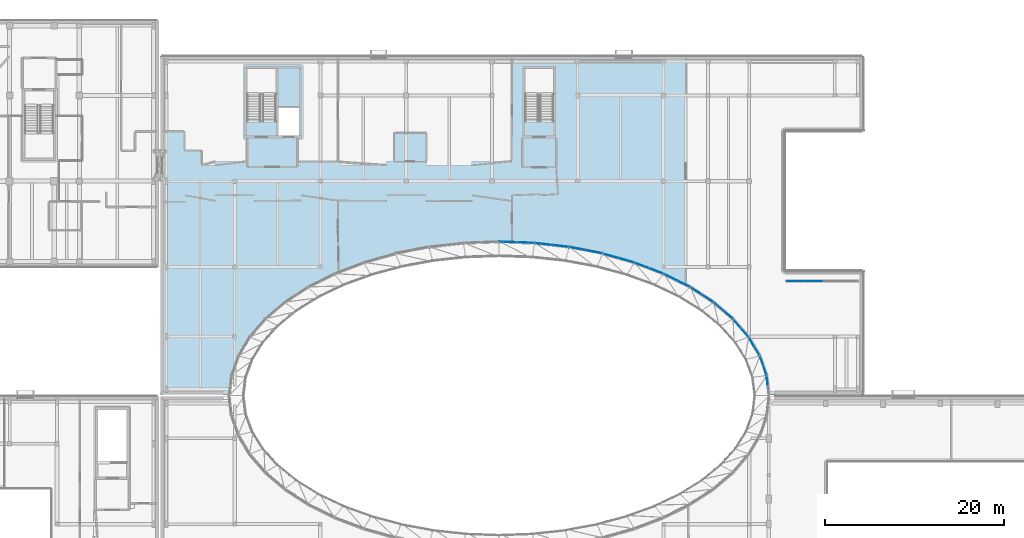
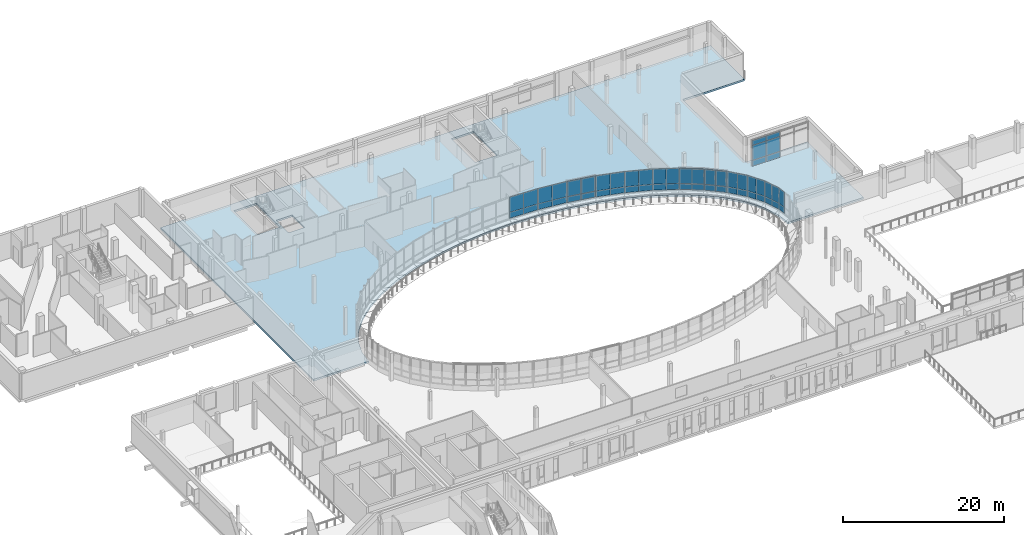
# One storey, part 33 of 73: 52 plates, 1 slab, 13 elements without a shape of their own.
"""IFC4 building model written with IfcOpenShell, lengths in metres."""

from ifc_helpers import new_model, si_unit, direction, frame, origin, origin_2d, place, context, subcontext, project, spatial, polyline, rectangle, outline, extrude, material, layer, layer_set, type_object, element, aggregate, save


model = new_model("IFC4")

# Units and contexts
model_context = context("Model", 3, precision=1e-05, world=origin(), true_north=direction((0.0, 1.0)))
body_context = subcontext(model_context, "Body", "Model", "MODEL_VIEW")
ifc_project = project(units=[si_unit("LENGTHUNIT", "METRE"), si_unit("AREAUNIT", "SQUARE_METRE"), si_unit("VOLUMEUNIT", "CUBIC_METRE"), si_unit("PLANEANGLEUNIT", "RADIAN"), si_unit("MASSUNIT", "GRAM", prefix="KILO")], contexts=[model_context])

# Site, building, storey
site_placement = place(None, origin())
site = spatial("IfcSite", under=ifc_project, at=site_placement, CompositionType="ELEMENT")
building_placement = place(site_placement, origin())
building = spatial("IfcBuilding", under=site, at=building_placement, Name="Mzevani Central Library", CompositionType="ELEMENT")
storey_placement = place(building_placement, frame((0.0, 0.0, 9.60009765625)))
storey = spatial("IfcBuildingStorey", under=building, at=storey_placement, Name="L02", CompositionType="ELEMENT", Elevation=9.60009765625)

# Curtain wall, plate
ifc_material_1 = material(Name="Thermally broken aluminium and Low-E triple glazing", Category="aluminium")
curtain_wall_type_1 = type_object("IfcCurtainWallType", Name="Reading Hall Northlight Curtain Wall", PredefinedType="NOTDEFINED", material=ifc_material_1)
curtain_wall_1_placement = place(storey_placement, origin())
curtain_wall_1 = element("IfcCurtainWall", 1, at=curtain_wall_1_placement, inside=storey, type_object=curtain_wall_type_1, Name="L02 Elliptical Court Curtain Wall 1", PredefinedType="NOTDEFINED")
ifc_material_2 = material(Name="Thermally broken aluminium AW-6060", Category="aluminium")
ifc_layer_1 = layer(ifc_material_2, 0.0419921875, Name="CW Insulated Spandrel Panel 42")
ifc_layer_set_1 = layer_set([ifc_layer_1], Name="Thermally broken aluminium AW-6060")
plate_type_1 = type_object("IfcPlateType", Name="CW Insulated Spandrel Panel 42", PredefinedType="CURTAIN_PANEL", material=ifc_layer_set_1)
plate_1_placement = place(storey_placement, frame((114.02734375, 77.673583984375, 0.719970703125), z_axis=(0.0, 0.0, 1.0), x_axis=(-0.114794980787, 0.993389204887, 0.0)))
plate_1 = element("IfcPlate", 2, at=plate_1_placement, type_object=plate_type_1, Name="L02 Elliptical Court Curtain Wall 1 Spandrel Panel 3", PredefinedType="CURTAIN_PANEL", context=body_context, shape_type="SweptSolid", body=[
    extrude(rectangle(XDim=1.11767578125, YDim=0.0419921875, at=origin_2d()), origin(), (0.0, 0.0, 1.0), 0.89990234375),
])

# Curtain wall, plates
curtain_wall_type_2 = type_object("IfcCurtainWallType", Name="Elliptical Court Unitised Curtain Wall", PredefinedType="NOTDEFINED", material=ifc_material_1)
curtain_wall_2_placement = place(storey_placement, origin())
curtain_wall_2 = element("IfcCurtainWall", 3, at=curtain_wall_2_placement, inside=storey, type_object=curtain_wall_type_2, Name="L02 Elliptical Court Curtain Wall 2", PredefinedType="NOTDEFINED")
plate_2_placement = place(storey_placement, frame((113.7705078125, 78.790771484375, 0.719970703125), z_axis=(0.0, 0.0, 1.0), x_axis=(-0.331001932634, 0.943630076138, 0.0)))
plate_2 = element("IfcPlate", 4, at=plate_2_placement, type_object=plate_type_1, Name="L02 Elliptical Court Curtain Wall 2 Spandrel Panel 1", PredefinedType="CURTAIN_PANEL", context=body_context, shape_type="SweptSolid", body=[
    extrude(rectangle(XDim=1.156494140625, YDim=0.0419921875, at=origin_2d()), origin(), (0.0, 0.0, 1.0), 0.89990234375),
])
plate_3_placement = place(storey_placement, frame((113.3876953125, 79.882080078125, 0.719970703125), z_axis=(0.0, 0.0, 1.0), x_axis=(-0.331001932634, 0.943630076138, 0.0)))
plate_3 = element("IfcPlate", 5, at=plate_3_placement, type_object=plate_type_1, Name="L02 Elliptical Court Curtain Wall 2 Spandrel Panel 3", PredefinedType="CURTAIN_PANEL", context=body_context, shape_type="SweptSolid", body=[
    extrude(rectangle(XDim=1.156494140625, YDim=0.0419921875, at=origin_2d()), origin(), (0.0, 0.0, 1.0), 0.89990234375),
])

curtain_wall_3_placement = place(storey_placement, origin())
curtain_wall_3 = element("IfcCurtainWall", 6, at=curtain_wall_3_placement, inside=storey, type_object=curtain_wall_type_2, Name="L02 Elliptical Court Curtain Wall 3", PredefinedType="NOTDEFINED")
plate_4_placement = place(storey_placement, frame((112.87841796875, 80.971435546875, 0.719970703125), z_axis=(0.0, 0.0, 1.0), x_axis=(-0.513620622967, 0.858017398228, 0.0)))
plate_4 = element("IfcPlate", 7, at=plate_4_placement, type_object=plate_type_1, Name="L02 Elliptical Court Curtain Wall 3 Spandrel Panel 1", PredefinedType="CURTAIN_PANEL", context=body_context, shape_type="SweptSolid", body=[
    extrude(rectangle(XDim=1.227783203125, YDim=0.0419921875, at=origin_2d()), origin(), (0.0, 0.0, 1.0), 0.89990234375),
])
plate_5_placement = place(storey_placement, frame((112.247802734375, 82.025146484375, 0.719970703125), z_axis=(0.0, 0.0, 1.0), x_axis=(-0.513620622967, 0.858017398228, 0.0)))
plate_5 = element("IfcPlate", 8, at=plate_5_placement, type_object=plate_type_1, Name="L02 Elliptical Court Curtain Wall 3 Spandrel Panel 3", PredefinedType="CURTAIN_PANEL", context=body_context, shape_type="SweptSolid", body=[
    extrude(rectangle(XDim=1.227783203125, YDim=0.0419921875, at=origin_2d()), origin(), (0.0, 0.0, 1.0), 0.89990234375),
])

curtain_wall_4_placement = place(storey_placement, origin())
curtain_wall_4 = element("IfcCurtainWall", 9, at=curtain_wall_4_placement, inside=storey, type_object=curtain_wall_type_1, Name="L02 Elliptical Court Curtain Wall 4", PredefinedType="NOTDEFINED")
plate_6_placement = place(storey_placement, frame((111.494384765625, 83.068603515625, 0.719970703125), z_axis=(0.0, 0.0, 1.0), x_axis=(-0.656226299394, 0.754564141729, 0.0)))
plate_6 = element("IfcPlate", 10, at=plate_6_placement, type_object=plate_type_1, Name="L02 Elliptical Court Curtain Wall 4 Spandrel Panel 1", PredefinedType="CURTAIN_PANEL", context=body_context, shape_type="SweptSolid", body=[
    extrude(rectangle(XDim=1.322509765625, YDim=0.0419921875, at=origin_2d()), origin(), (0.0, 0.0, 1.0), 0.89990234375),
])
plate_7_placement = place(storey_placement, frame((110.62646484375, 84.06640625, 0.719970703125), z_axis=(0.0, 0.0, 1.0), x_axis=(-0.656226299394, 0.754564141729, 0.0)))
plate_7 = element("IfcPlate", 11, at=plate_7_placement, type_object=plate_type_1, Name="L02 Elliptical Court Curtain Wall 4 Spandrel Panel 3", PredefinedType="CURTAIN_PANEL", context=body_context, shape_type="SweptSolid", body=[
    extrude(rectangle(XDim=1.322509765625, YDim=0.0419921875, at=origin_2d()), origin(), (0.0, 0.0, 1.0), 0.89990234375),
])

curtain_wall_5_placement = place(storey_placement, origin())
curtain_wall_5 = element("IfcCurtainWall", 12, at=curtain_wall_5_placement, inside=storey, type_object=curtain_wall_type_2, Name="L02 Elliptical Court Curtain Wall 5", PredefinedType="NOTDEFINED")
plate_8_placement = place(storey_placement, frame((109.641357421875, 85.046630859375, 0.719970703125), z_axis=(0.0, 0.0, 1.0), x_axis=(-0.762434605675, 0.647065276514, 0.0)))
plate_8 = element("IfcPlate", 13, at=plate_8_placement, type_object=plate_type_1, Name="L02 Elliptical Court Curtain Wall 5 Spandrel Panel 1", PredefinedType="CURTAIN_PANEL", context=body_context, shape_type="SweptSolid", body=[
    extrude(rectangle(XDim=1.4296875, YDim=0.0419921875, at=origin_2d()), origin(), (0.0, 0.0, 1.0), 0.89990234375),
])
plate_9_placement = place(storey_placement, frame((108.55126953125, 85.971923828125, 0.719970703125), z_axis=(0.0, 0.0, 1.0), x_axis=(-0.762434605675, 0.647065276514, 0.0)))
plate_9 = element("IfcPlate", 14, at=plate_9_placement, type_object=plate_type_1, Name="L02 Elliptical Court Curtain Wall 5 Spandrel Panel 3", PredefinedType="CURTAIN_PANEL", context=body_context, shape_type="SweptSolid", body=[
    extrude(rectangle(XDim=1.4296875, YDim=0.0419921875, at=origin_2d()), origin(), (0.0, 0.0, 1.0), 0.89990234375),
])

curtain_wall_6_placement = place(storey_placement, origin())
curtain_wall_6 = element("IfcCurtainWall", 15, at=curtain_wall_6_placement, inside=storey, type_object=curtain_wall_type_2, Name="L02 Elliptical Court Curtain Wall 6", PredefinedType="NOTDEFINED")
plate_10_placement = place(storey_placement, frame((107.350830078125, 86.87255859375, 0.719970703125), z_axis=(0.0, 0.0, 1.0), x_axis=(-0.839732660597, 0.543000054076, 0.0)))
plate_10 = element("IfcPlate", 16, at=plate_10_placement, type_object=plate_type_1, Name="L02 Elliptical Court Curtain Wall 6 Spandrel Panel 1", PredefinedType="CURTAIN_PANEL", context=body_context, shape_type="SweptSolid", body=[
    extrude(rectangle(XDim=1.54052734375, YDim=0.0419921875, at=origin_2d()), origin(), (0.0, 0.0, 1.0), 0.89990234375),
])
plate_11_placement = place(storey_placement, frame((106.05712890625, 87.709228515625, 0.719970703125), z_axis=(0.0, 0.0, 1.0), x_axis=(-0.839732660597, 0.543000054076, 0.0)))
plate_11 = element("IfcPlate", 17, at=plate_11_placement, type_object=plate_type_1, Name="L02 Elliptical Court Curtain Wall 6 Spandrel Panel 3", PredefinedType="CURTAIN_PANEL", context=body_context, shape_type="SweptSolid", body=[
    extrude(rectangle(XDim=1.54052734375, YDim=0.0419921875, at=origin_2d()), origin(), (0.0, 0.0, 1.0), 0.89990234375),
])

curtain_wall_7_placement = place(storey_placement, origin())
curtain_wall_7 = element("IfcCurtainWall", 18, at=curtain_wall_7_placement, inside=storey, type_object=curtain_wall_type_1, Name="L02 Elliptical Court Curtain Wall 7", PredefinedType="NOTDEFINED")
plate_12_placement = place(storey_placement, frame((104.660400390625, 88.515869140625, 0.719970703125), z_axis=(0.0, 0.0, 1.0), x_axis=(-0.89539024804, 0.445282274198, 0.0)))
plate_12 = element("IfcPlate", 19, at=plate_12_placement, type_object=plate_type_1, Name="L02 Elliptical Court Curtain Wall 7 Spandrel Panel 1", PredefinedType="CURTAIN_PANEL", context=body_context, shape_type="SweptSolid", body=[
    extrude(rectangle(XDim=1.6474609375, YDim=0.0419921875, at=origin_2d()), origin(), (0.0, 0.0, 1.0), 0.89990234375),
])
plate_13_placement = place(storey_placement, frame((103.18505859375, 89.24951171875, 0.719970703125), z_axis=(0.0, 0.0, 1.0), x_axis=(-0.89539024804, 0.445282274198, 0.0)))
plate_13 = element("IfcPlate", 20, at=plate_13_placement, type_object=plate_type_1, Name="L02 Elliptical Court Curtain Wall 7 Spandrel Panel 3", PredefinedType="CURTAIN_PANEL", context=body_context, shape_type="SweptSolid", body=[
    extrude(rectangle(XDim=1.6474609375, YDim=0.0419921875, at=origin_2d()), origin(), (0.0, 0.0, 1.0), 0.89990234375),
])

curtain_wall_8_placement = place(storey_placement, origin())
curtain_wall_8 = element("IfcCurtainWall", 21, at=curtain_wall_8_placement, inside=storey, type_object=curtain_wall_type_2, Name="L02 Elliptical Court Curtain Wall 8", PredefinedType="NOTDEFINED")
plate_14_placement = place(storey_placement, frame((101.614990234375, 89.9482421875, 0.719970703125), z_axis=(0.0, 0.0, 1.0), x_axis=(-0.935125934048, 0.354315519659, 0.0)))
plate_14 = element("IfcPlate", 22, at=plate_14_placement, type_object=plate_type_1, Name="L02 Elliptical Court Curtain Wall 8 Spandrel Panel 1", PredefinedType="CURTAIN_PANEL", context=body_context, shape_type="SweptSolid", body=[
    extrude(rectangle(XDim=1.74462890625, YDim=0.0419921875, at=origin_2d()), origin(), (0.0, 0.0, 1.0), 0.89990234375),
])
plate_15_placement = place(storey_placement, frame((99.9833984375, 90.56640625, 0.719970703125), z_axis=(0.0, 0.0, 1.0), x_axis=(-0.935125934048, 0.354315519659, 0.0)))
plate_15 = element("IfcPlate", 23, at=plate_15_placement, type_object=plate_type_1, Name="L02 Elliptical Court Curtain Wall 8 Spandrel Panel 3", PredefinedType="CURTAIN_PANEL", context=body_context, shape_type="SweptSolid", body=[
    extrude(rectangle(XDim=1.74462890625, YDim=0.0419921875, at=origin_2d()), origin(), (0.0, 0.0, 1.0), 0.89990234375),
])

curtain_wall_9_placement = place(storey_placement, origin())
curtain_wall_9 = element("IfcCurtainWall", 24, at=curtain_wall_9_placement, inside=storey, type_object=curtain_wall_type_2, Name="L02 Elliptical Court Curtain Wall 9", PredefinedType="NOTDEFINED")
plate_16_placement = place(storey_placement, frame((98.264404296875, 91.145263671875, 0.719970703125), z_axis=(0.0, 0.0, 1.0), x_axis=(-0.9630535978, 0.269309798865, 0.0)))
plate_16 = element("IfcPlate", 25, at=plate_16_placement, type_object=plate_type_1, Name="L02 Elliptical Court Curtain Wall 9 Spandrel Panel 1", PredefinedType="CURTAIN_PANEL", context=body_context, shape_type="SweptSolid", body=[
    extrude(rectangle(XDim=1.827392578125, YDim=0.0419921875, at=origin_2d()), origin(), (0.0, 0.0, 1.0), 0.89990234375),
])
plate_17_placement = place(storey_placement, frame((96.5048828125, 91.63720703125, 0.719970703125), z_axis=(0.0, 0.0, 1.0), x_axis=(-0.9630535978, 0.269309798865, 0.0)))
plate_17 = element("IfcPlate", 26, at=plate_17_placement, type_object=plate_type_1, Name="L02 Elliptical Court Curtain Wall 9 Spandrel Panel 3", PredefinedType="CURTAIN_PANEL", context=body_context, shape_type="SweptSolid", body=[
    extrude(rectangle(XDim=1.827392578125, YDim=0.0419921875, at=origin_2d()), origin(), (0.0, 0.0, 1.0), 0.89990234375),
])

curtain_wall_10_placement = place(storey_placement, origin())
curtain_wall_10 = element("IfcCurtainWall", 27, at=curtain_wall_10_placement, inside=storey, type_object=curtain_wall_type_1, Name="L02 Elliptical Court Curtain Wall 10", PredefinedType="NOTDEFINED")
plate_18_placement = place(storey_placement, frame((94.66455078125, 92.0849609375, 0.719970703125), z_axis=(0.0, 0.0, 1.0), x_axis=(-0.981971911656, 0.189026888879, 0.0)))
plate_18 = element("IfcPlate", 28, at=plate_18_placement, type_object=plate_type_1, Name="L02 Elliptical Court Curtain Wall 10 Spandrel Panel 1", PredefinedType="CURTAIN_PANEL", context=body_context, shape_type="SweptSolid", body=[
    extrude(rectangle(XDim=1.89208984375, YDim=0.0419921875, at=origin_2d()), origin(), (0.0, 0.0, 1.0), 0.89990234375),
])
plate_19_placement = place(storey_placement, frame((92.806640625, 92.442626953125, 0.719970703125), z_axis=(0.0, 0.0, 1.0), x_axis=(-0.981971911656, 0.189026888879, 0.0)))
plate_19 = element("IfcPlate", 29, at=plate_19_placement, type_object=plate_type_1, Name="L02 Elliptical Court Curtain Wall 10 Spandrel Panel 3", PredefinedType="CURTAIN_PANEL", context=body_context, shape_type="SweptSolid", body=[
    extrude(rectangle(XDim=1.89208984375, YDim=0.0419921875, at=origin_2d()), origin(), (0.0, 0.0, 1.0), 0.89990234375),
])

curtain_wall_11_placement = place(storey_placement, origin())
curtain_wall_11 = element("IfcCurtainWall", 30, at=curtain_wall_11_placement, inside=storey, type_object=curtain_wall_type_2, Name="L02 Elliptical Court Curtain Wall 11", PredefinedType="NOTDEFINED")
plate_20_placement = place(storey_placement, frame((90.875244140625, 92.748779296875, 0.719970703125), z_axis=(0.0, 0.0, 1.0), x_axis=(-0.993696511115, 0.112103718933, 0.0)))
plate_20 = element("IfcPlate", 31, at=plate_20_placement, type_object=plate_type_1, Name="L02 Elliptical Court Curtain Wall 11 Spandrel Panel 1", PredefinedType="CURTAIN_PANEL", context=body_context, shape_type="SweptSolid", body=[
    extrude(rectangle(XDim=1.9365234375, YDim=0.0419921875, at=origin_2d()), origin(), (0.0, 0.0, 1.0), 0.89990234375),
])
plate_21_placement = place(storey_placement, frame((88.95068359375, 92.9658203125, 0.719970703125), z_axis=(0.0, 0.0, 1.0), x_axis=(-0.993696511115, 0.112103718933, 0.0)))
plate_21 = element("IfcPlate", 32, at=plate_21_placement, type_object=plate_type_1, Name="L02 Elliptical Court Curtain Wall 11 Spandrel Panel 3", PredefinedType="CURTAIN_PANEL", context=body_context, shape_type="SweptSolid", body=[
    extrude(rectangle(XDim=1.9365234375, YDim=0.0419921875, at=origin_2d()), origin(), (0.0, 0.0, 1.0), 0.89990234375),
])

curtain_wall_12_placement = place(storey_placement, origin())
curtain_wall_12 = element("IfcCurtainWall", 33, at=curtain_wall_12_placement, inside=storey, type_object=curtain_wall_type_2, Name="L02 Elliptical Court Curtain Wall 12", PredefinedType="NOTDEFINED")
plate_22_placement = place(storey_placement, frame((86.962158203125, 93.12158203125, 0.719970703125), z_axis=(0.0, 0.0, 1.0), x_axis=(-0.999309394498, 0.037158230165, 0.0)))
plate_22 = element("IfcPlate", 34, at=plate_22_placement, type_object=plate_type_1, Name="L02 Elliptical Court Curtain Wall 12 Spandrel Panel 1", PredefinedType="CURTAIN_PANEL", context=body_context, shape_type="SweptSolid", body=[
    extrude(rectangle(XDim=1.959228515625, YDim=0.0419921875, at=origin_2d()), origin(), (0.0, 0.0, 1.0), 0.89990234375),
])
plate_23_placement = place(storey_placement, frame((85.004150390625, 93.194580078125, 0.719970703125), z_axis=(0.0, 0.0, 1.0), x_axis=(-0.999309394498, 0.037158230165, 0.0)))
plate_23 = element("IfcPlate", 35, at=plate_23_placement, type_object=plate_type_1, Name="L02 Elliptical Court Curtain Wall 12 Spandrel Panel 3", PredefinedType="CURTAIN_PANEL", context=body_context, shape_type="SweptSolid", body=[
    extrude(rectangle(XDim=1.959228515625, YDim=0.0419921875, at=origin_2d()), origin(), (0.0, 0.0, 1.0), 0.89990234375),
])

curtain_wall_type_3 = type_object("IfcCurtainWallType", Name="Interior Atrium Acoustic Glazed Screen", PredefinedType="NOTDEFINED", material=ifc_material_1)
curtain_wall_13_placement = place(storey_placement, origin())
curtain_wall_13 = element("IfcCurtainWall", 36, at=curtain_wall_13_placement, inside=storey, type_object=curtain_wall_type_3, Name="L02 Atrium Acoustic Overlook Screen 6", PredefinedType="NOTDEFINED")
ifc_material_3 = material(Name="Low-E triple glazing glass", Category="glass")
ifc_layer_2 = layer(ifc_material_3, 0.02197265625, Name="CW Interior Atrium Glazed Panel 22")
ifc_layer_set_2 = layer_set([ifc_layer_2], Name="Low-E triple glazing glass")
plate_type_2 = type_object("IfcPlateType", Name="CW Interior Atrium Glazed Panel 22", PredefinedType="CURTAIN_PANEL", material=ifc_layer_set_2)
plate_24_placement = place(storey_placement, frame((117.199951171875, 88.800048828125, 0.0), z_axis=(0.0, 0.0, 1.0), x_axis=(1.0, 0.0, 0.0)))
plate_24 = element("IfcPlate", 37, at=plate_24_placement, type_object=plate_type_2, Name="L02 Atrium Acoustic Overlook Screen 6 Vision Panel 1", PredefinedType="CURTAIN_PANEL", context=body_context, shape_type="SweptSolid", body=[
    extrude(rectangle(XDim=2.0, YDim=0.02197265625, at=origin_2d()), origin(), (0.0, 0.0, 1.0), 0.89990234375),
])
plate_25_placement = place(storey_placement, frame((117.199951171875, 88.800048828125, 0.89990234375), z_axis=(0.0, 0.0, 1.0), x_axis=(1.0, 0.0, 0.0)))
plate_25 = element("IfcPlate", 38, at=plate_25_placement, type_object=plate_type_2, Name="L02 Atrium Acoustic Overlook Screen 6 Vision Panel 2", PredefinedType="CURTAIN_PANEL", context=body_context, shape_type="SweptSolid", body=[
    extrude(rectangle(XDim=2.0, YDim=0.02197265625, at=origin_2d()), origin(), (0.0, 0.0, 1.0), 2.27001953125),
])
plate_26_placement = place(storey_placement, frame((117.199951171875, 88.800048828125, 3.169921875), z_axis=(0.0, 0.0, 1.0), x_axis=(1.0, 0.0, 0.0)))
plate_26 = element("IfcPlate", 39, at=plate_26_placement, type_object=plate_type_2, Name="L02 Atrium Acoustic Overlook Screen 6 Vision Panel 3", PredefinedType="CURTAIN_PANEL", context=body_context, shape_type="SweptSolid", body=[
    extrude(rectangle(XDim=2.0, YDim=0.02197265625, at=origin_2d()), origin(), (0.0, 0.0, 1.0), 0.75),
])
plate_27_placement = place(storey_placement, frame((119.199951171875, 88.800048828125, 0.0), z_axis=(0.0, 0.0, 1.0), x_axis=(1.0, 0.0, 0.0)))
plate_27 = element("IfcPlate", 40, at=plate_27_placement, type_object=plate_type_2, Name="L02 Atrium Acoustic Overlook Screen 6 Vision Panel 4", PredefinedType="CURTAIN_PANEL", context=body_context, shape_type="SweptSolid", body=[
    extrude(rectangle(XDim=2.0, YDim=0.02197265625, at=origin_2d()), origin(), (0.0, 0.0, 1.0), 0.89990234375),
])
plate_28_placement = place(storey_placement, frame((119.199951171875, 88.800048828125, 0.89990234375), z_axis=(0.0, 0.0, 1.0), x_axis=(1.0, 0.0, 0.0)))
plate_28 = element("IfcPlate", 41, at=plate_28_placement, type_object=plate_type_2, Name="L02 Atrium Acoustic Overlook Screen 6 Vision Panel 5", PredefinedType="CURTAIN_PANEL", context=body_context, shape_type="SweptSolid", body=[
    extrude(rectangle(XDim=2.0, YDim=0.02197265625, at=origin_2d()), origin(), (0.0, 0.0, 1.0), 2.27001953125),
])
plate_29_placement = place(storey_placement, frame((119.199951171875, 88.800048828125, 3.169921875), z_axis=(0.0, 0.0, 1.0), x_axis=(1.0, 0.0, 0.0)))
plate_29 = element("IfcPlate", 42, at=plate_29_placement, type_object=plate_type_2, Name="L02 Atrium Acoustic Overlook Screen 6 Vision Panel 6", PredefinedType="CURTAIN_PANEL", context=body_context, shape_type="SweptSolid", body=[
    extrude(rectangle(XDim=2.0, YDim=0.02197265625, at=origin_2d()), origin(), (0.0, 0.0, 1.0), 0.75),
])
aggregate(curtain_wall_13, [plate_24, plate_25, plate_26, plate_27, plate_28, plate_29])

# Plate
ifc_layer_3 = layer(ifc_material_3, 0.028076171875, Name="CW Triple Glazed Vision Panel 28")
ifc_layer_set_3 = layer_set([ifc_layer_3], Name="Low-E triple glazing glass")
plate_type_3 = type_object("IfcPlateType", Name="CW Triple Glazed Vision Panel 28", PredefinedType="CURTAIN_PANEL", material=ifc_layer_set_3)
plate_30_placement = place(storey_placement, frame((114.02734375, 77.673583984375, 1.6201171875), z_axis=(0.0, 0.0, 1.0), x_axis=(-0.114794980787, 0.993389204887, 0.0)))
plate_30 = element("IfcPlate", 43, at=plate_30_placement, type_object=plate_type_3, Name="L02 Elliptical Court Curtain Wall 1 Vision Panel 4", PredefinedType="CURTAIN_PANEL", context=body_context, shape_type="SweptSolid", body=[
    extrude(rectangle(XDim=1.11767578125, YDim=0.028076171875, at=origin_2d()), origin(), (0.0, 0.0, 1.0), 2.300048828125),
])

aggregate(curtain_wall_1, [plate_1, plate_30])

plate_31_placement = place(storey_placement, frame((113.7705078125, 78.790771484375, 1.6201171875), z_axis=(0.0, 0.0, 1.0), x_axis=(-0.331001932634, 0.943630076138, 0.0)))
plate_31 = element("IfcPlate", 44, at=plate_31_placement, type_object=plate_type_3, Name="L02 Elliptical Court Curtain Wall 2 Vision Panel 2", PredefinedType="CURTAIN_PANEL", context=body_context, shape_type="SweptSolid", body=[
    extrude(rectangle(XDim=1.156494140625, YDim=0.028076171875, at=origin_2d()), origin(), (0.0, 0.0, 1.0), 2.300048828125),
])

plate_32_placement = place(storey_placement, frame((113.3876953125, 79.882080078125, 1.6201171875), z_axis=(0.0, 0.0, 1.0), x_axis=(-0.331001932634, 0.943630076138, 0.0)))
plate_32 = element("IfcPlate", 45, at=plate_32_placement, type_object=plate_type_3, Name="L02 Elliptical Court Curtain Wall 2 Vision Panel 4", PredefinedType="CURTAIN_PANEL", context=body_context, shape_type="SweptSolid", body=[
    extrude(rectangle(XDim=1.156494140625, YDim=0.028076171875, at=origin_2d()), origin(), (0.0, 0.0, 1.0), 2.300048828125),
])

aggregate(curtain_wall_2, [plate_2, plate_31, plate_3, plate_32])

plate_33_placement = place(storey_placement, frame((112.87841796875, 80.971435546875, 1.6201171875), z_axis=(0.0, 0.0, 1.0), x_axis=(-0.513620622967, 0.858017398228, 0.0)))
plate_33 = element("IfcPlate", 46, at=plate_33_placement, type_object=plate_type_3, Name="L02 Elliptical Court Curtain Wall 3 Vision Panel 2", PredefinedType="CURTAIN_PANEL", context=body_context, shape_type="SweptSolid", body=[
    extrude(rectangle(XDim=1.227783203125, YDim=0.028076171875, at=origin_2d()), origin(), (0.0, 0.0, 1.0), 2.300048828125),
])

plate_34_placement = place(storey_placement, frame((112.247802734375, 82.025146484375, 1.6201171875), z_axis=(0.0, 0.0, 1.0), x_axis=(-0.513620622967, 0.858017398228, 0.0)))
plate_34 = element("IfcPlate", 47, at=plate_34_placement, type_object=plate_type_3, Name="L02 Elliptical Court Curtain Wall 3 Vision Panel 4", PredefinedType="CURTAIN_PANEL", context=body_context, shape_type="SweptSolid", body=[
    extrude(rectangle(XDim=1.227783203125, YDim=0.028076171875, at=origin_2d()), origin(), (0.0, 0.0, 1.0), 2.300048828125),
])

aggregate(curtain_wall_3, [plate_4, plate_33, plate_5, plate_34])

plate_35_placement = place(storey_placement, frame((111.494384765625, 83.068603515625, 1.6201171875), z_axis=(0.0, 0.0, 1.0), x_axis=(-0.656226299394, 0.754564141729, 0.0)))
plate_35 = element("IfcPlate", 48, at=plate_35_placement, type_object=plate_type_3, Name="L02 Elliptical Court Curtain Wall 4 Vision Panel 2", PredefinedType="CURTAIN_PANEL", context=body_context, shape_type="SweptSolid", body=[
    extrude(rectangle(XDim=1.322509765625, YDim=0.028076171875, at=origin_2d()), origin(), (0.0, 0.0, 1.0), 2.300048828125),
])

plate_36_placement = place(storey_placement, frame((110.62646484375, 84.06640625, 1.6201171875), z_axis=(0.0, 0.0, 1.0), x_axis=(-0.656226299394, 0.754564141729, 0.0)))
plate_36 = element("IfcPlate", 49, at=plate_36_placement, type_object=plate_type_3, Name="L02 Elliptical Court Curtain Wall 4 Vision Panel 4", PredefinedType="CURTAIN_PANEL", context=body_context, shape_type="SweptSolid", body=[
    extrude(rectangle(XDim=1.322509765625, YDim=0.028076171875, at=origin_2d()), origin(), (0.0, 0.0, 1.0), 2.300048828125),
])

aggregate(curtain_wall_4, [plate_6, plate_35, plate_7, plate_36])

plate_37_placement = place(storey_placement, frame((109.641357421875, 85.046630859375, 1.6201171875), z_axis=(0.0, 0.0, 1.0), x_axis=(-0.762434605675, 0.647065276514, 0.0)))
plate_37 = element("IfcPlate", 50, at=plate_37_placement, type_object=plate_type_3, Name="L02 Elliptical Court Curtain Wall 5 Vision Panel 2", PredefinedType="CURTAIN_PANEL", context=body_context, shape_type="SweptSolid", body=[
    extrude(rectangle(XDim=1.4296875, YDim=0.028076171875, at=origin_2d()), origin(), (0.0, 0.0, 1.0), 2.300048828125),
])

plate_38_placement = place(storey_placement, frame((108.55126953125, 85.971923828125, 1.6201171875), z_axis=(0.0, 0.0, 1.0), x_axis=(-0.762434605675, 0.647065276514, 0.0)))
plate_38 = element("IfcPlate", 51, at=plate_38_placement, type_object=plate_type_3, Name="L02 Elliptical Court Curtain Wall 5 Vision Panel 4", PredefinedType="CURTAIN_PANEL", context=body_context, shape_type="SweptSolid", body=[
    extrude(rectangle(XDim=1.4296875, YDim=0.028076171875, at=origin_2d()), origin(), (0.0, 0.0, 1.0), 2.300048828125),
])

aggregate(curtain_wall_5, [plate_8, plate_37, plate_9, plate_38])

plate_39_placement = place(storey_placement, frame((107.350830078125, 86.87255859375, 1.6201171875), z_axis=(0.0, 0.0, 1.0), x_axis=(-0.839732660597, 0.543000054076, 0.0)))
plate_39 = element("IfcPlate", 52, at=plate_39_placement, type_object=plate_type_3, Name="L02 Elliptical Court Curtain Wall 6 Vision Panel 2", PredefinedType="CURTAIN_PANEL", context=body_context, shape_type="SweptSolid", body=[
    extrude(rectangle(XDim=1.54052734375, YDim=0.028076171875, at=origin_2d()), origin(), (0.0, 0.0, 1.0), 2.300048828125),
])

plate_40_placement = place(storey_placement, frame((106.05712890625, 87.709228515625, 1.6201171875), z_axis=(0.0, 0.0, 1.0), x_axis=(-0.839732660597, 0.543000054076, 0.0)))
plate_40 = element("IfcPlate", 53, at=plate_40_placement, type_object=plate_type_3, Name="L02 Elliptical Court Curtain Wall 6 Vision Panel 4", PredefinedType="CURTAIN_PANEL", context=body_context, shape_type="SweptSolid", body=[
    extrude(rectangle(XDim=1.54052734375, YDim=0.028076171875, at=origin_2d()), origin(), (0.0, 0.0, 1.0), 2.300048828125),
])

aggregate(curtain_wall_6, [plate_10, plate_39, plate_11, plate_40])

plate_41_placement = place(storey_placement, frame((104.660400390625, 88.515869140625, 1.6201171875), z_axis=(0.0, 0.0, 1.0), x_axis=(-0.89539024804, 0.445282274198, 0.0)))
plate_41 = element("IfcPlate", 54, at=plate_41_placement, type_object=plate_type_3, Name="L02 Elliptical Court Curtain Wall 7 Vision Panel 2", PredefinedType="CURTAIN_PANEL", context=body_context, shape_type="SweptSolid", body=[
    extrude(rectangle(XDim=1.6474609375, YDim=0.028076171875, at=origin_2d()), origin(), (0.0, 0.0, 1.0), 2.300048828125),
])

plate_42_placement = place(storey_placement, frame((103.18505859375, 89.24951171875, 1.6201171875), z_axis=(0.0, 0.0, 1.0), x_axis=(-0.89539024804, 0.445282274198, 0.0)))
plate_42 = element("IfcPlate", 55, at=plate_42_placement, type_object=plate_type_3, Name="L02 Elliptical Court Curtain Wall 7 Vision Panel 4", PredefinedType="CURTAIN_PANEL", context=body_context, shape_type="SweptSolid", body=[
    extrude(rectangle(XDim=1.6474609375, YDim=0.028076171875, at=origin_2d()), origin(), (0.0, 0.0, 1.0), 2.300048828125),
])

aggregate(curtain_wall_7, [plate_12, plate_41, plate_13, plate_42])

plate_43_placement = place(storey_placement, frame((101.614990234375, 89.9482421875, 1.6201171875), z_axis=(0.0, 0.0, 1.0), x_axis=(-0.935125934048, 0.354315519659, 0.0)))
plate_43 = element("IfcPlate", 56, at=plate_43_placement, type_object=plate_type_3, Name="L02 Elliptical Court Curtain Wall 8 Vision Panel 2", PredefinedType="CURTAIN_PANEL", context=body_context, shape_type="SweptSolid", body=[
    extrude(rectangle(XDim=1.74462890625, YDim=0.028076171875, at=origin_2d()), origin(), (0.0, 0.0, 1.0), 2.300048828125),
])

plate_44_placement = place(storey_placement, frame((99.9833984375, 90.56640625, 1.6201171875), z_axis=(0.0, 0.0, 1.0), x_axis=(-0.935125934048, 0.354315519659, 0.0)))
plate_44 = element("IfcPlate", 57, at=plate_44_placement, type_object=plate_type_3, Name="L02 Elliptical Court Curtain Wall 8 Vision Panel 4", PredefinedType="CURTAIN_PANEL", context=body_context, shape_type="SweptSolid", body=[
    extrude(rectangle(XDim=1.74462890625, YDim=0.028076171875, at=origin_2d()), origin(), (0.0, 0.0, 1.0), 2.300048828125),
])

aggregate(curtain_wall_8, [plate_14, plate_43, plate_15, plate_44])

plate_45_placement = place(storey_placement, frame((98.264404296875, 91.145263671875, 1.6201171875), z_axis=(0.0, 0.0, 1.0), x_axis=(-0.9630535978, 0.269309798865, 0.0)))
plate_45 = element("IfcPlate", 58, at=plate_45_placement, type_object=plate_type_3, Name="L02 Elliptical Court Curtain Wall 9 Vision Panel 2", PredefinedType="CURTAIN_PANEL", context=body_context, shape_type="SweptSolid", body=[
    extrude(rectangle(XDim=1.827392578125, YDim=0.028076171875, at=origin_2d()), origin(), (0.0, 0.0, 1.0), 2.300048828125),
])

plate_46_placement = place(storey_placement, frame((96.5048828125, 91.63720703125, 1.6201171875), z_axis=(0.0, 0.0, 1.0), x_axis=(-0.9630535978, 0.269309798865, 0.0)))
plate_46 = element("IfcPlate", 59, at=plate_46_placement, type_object=plate_type_3, Name="L02 Elliptical Court Curtain Wall 9 Vision Panel 4", PredefinedType="CURTAIN_PANEL", context=body_context, shape_type="SweptSolid", body=[
    extrude(rectangle(XDim=1.827392578125, YDim=0.028076171875, at=origin_2d()), origin(), (0.0, 0.0, 1.0), 2.300048828125),
])

aggregate(curtain_wall_9, [plate_16, plate_45, plate_17, plate_46])

plate_47_placement = place(storey_placement, frame((94.66455078125, 92.0849609375, 1.6201171875), z_axis=(0.0, 0.0, 1.0), x_axis=(-0.981971911656, 0.189026888879, 0.0)))
plate_47 = element("IfcPlate", 60, at=plate_47_placement, type_object=plate_type_3, Name="L02 Elliptical Court Curtain Wall 10 Vision Panel 2", PredefinedType="CURTAIN_PANEL", context=body_context, shape_type="SweptSolid", body=[
    extrude(rectangle(XDim=1.89208984375, YDim=0.028076171875, at=origin_2d()), origin(), (0.0, 0.0, 1.0), 2.300048828125),
])

plate_48_placement = place(storey_placement, frame((92.806640625, 92.442626953125, 1.6201171875), z_axis=(0.0, 0.0, 1.0), x_axis=(-0.981971911656, 0.189026888879, 0.0)))
plate_48 = element("IfcPlate", 61, at=plate_48_placement, type_object=plate_type_3, Name="L02 Elliptical Court Curtain Wall 10 Vision Panel 4", PredefinedType="CURTAIN_PANEL", context=body_context, shape_type="SweptSolid", body=[
    extrude(rectangle(XDim=1.89208984375, YDim=0.028076171875, at=origin_2d()), origin(), (0.0, 0.0, 1.0), 2.300048828125),
])

aggregate(curtain_wall_10, [plate_18, plate_47, plate_19, plate_48])

plate_49_placement = place(storey_placement, frame((90.875244140625, 92.748779296875, 1.6201171875), z_axis=(0.0, 0.0, 1.0), x_axis=(-0.993696511115, 0.112103718933, 0.0)))
plate_49 = element("IfcPlate", 62, at=plate_49_placement, type_object=plate_type_3, Name="L02 Elliptical Court Curtain Wall 11 Vision Panel 2", PredefinedType="CURTAIN_PANEL", context=body_context, shape_type="SweptSolid", body=[
    extrude(rectangle(XDim=1.9365234375, YDim=0.028076171875, at=origin_2d()), origin(), (0.0, 0.0, 1.0), 2.300048828125),
])

plate_50_placement = place(storey_placement, frame((88.95068359375, 92.9658203125, 1.6201171875), z_axis=(0.0, 0.0, 1.0), x_axis=(-0.993696511115, 0.112103718933, 0.0)))
plate_50 = element("IfcPlate", 63, at=plate_50_placement, type_object=plate_type_3, Name="L02 Elliptical Court Curtain Wall 11 Vision Panel 4", PredefinedType="CURTAIN_PANEL", context=body_context, shape_type="SweptSolid", body=[
    extrude(rectangle(XDim=1.9365234375, YDim=0.028076171875, at=origin_2d()), origin(), (0.0, 0.0, 1.0), 2.300048828125),
])

aggregate(curtain_wall_11, [plate_20, plate_49, plate_21, plate_50])

plate_51_placement = place(storey_placement, frame((86.962158203125, 93.12158203125, 1.6201171875), z_axis=(0.0, 0.0, 1.0), x_axis=(-0.999309394498, 0.037158230165, 0.0)))
plate_51 = element("IfcPlate", 64, at=plate_51_placement, type_object=plate_type_3, Name="L02 Elliptical Court Curtain Wall 12 Vision Panel 2", PredefinedType="CURTAIN_PANEL", context=body_context, shape_type="SweptSolid", body=[
    extrude(rectangle(XDim=1.959228515625, YDim=0.028076171875, at=origin_2d()), origin(), (0.0, 0.0, 1.0), 2.300048828125),
])

plate_52_placement = place(storey_placement, frame((85.004150390625, 93.194580078125, 1.6201171875), z_axis=(0.0, 0.0, 1.0), x_axis=(-0.999309394498, 0.037158230165, 0.0)))
plate_52 = element("IfcPlate", 65, at=plate_52_placement, type_object=plate_type_3, Name="L02 Elliptical Court Curtain Wall 12 Vision Panel 4", PredefinedType="CURTAIN_PANEL", context=body_context, shape_type="SweptSolid", body=[
    extrude(rectangle(XDim=1.959228515625, YDim=0.028076171875, at=origin_2d()), origin(), (0.0, 0.0, 1.0), 2.300048828125),
])

aggregate(curtain_wall_12, [plate_22, plate_51, plate_23, plate_52])

# Slab
ifc_material_4 = material(Name="Concrete C35/45", Category="concrete")
ifc_layer_4 = layer(ifc_material_4, 0.280029296875, Name="Open Stack Floor Slab 280")
ifc_layer_set_4 = layer_set([ifc_layer_4], Name="Concrete C35/45")
slab_type = type_object("IfcSlabType", Name="Open Stack Floor Slab 280", PredefinedType="FLOOR", material=ifc_layer_set_4)
slab_placement = place(storey_placement, frame((0.0, 0.0, -0.280029296875)))
element("IfcSlab", 66, at=slab_placement, inside=storey, type_object=slab_type, Name="L02 V3 Structural Slab FS-03", PredefinedType="FLOOR", context=body_context, shape_type="SweptSolid", body=[
    extrude(outline(polyline([(46.10009765625, 114.0), (124.800048828125, 114.0), (124.800048828125, 105.60009765625), (116.0, 105.60009765625), (116.0, 90.0), (124.800048828125, 90.0), (124.800048828125, 76.10009765625), (113.98828125, 76.10009765625), (113.743408203125, 78.220703125), (112.977783203125, 80.403076171875), (111.71630859375, 82.51025390625), (109.980712890625, 84.506103515625), (107.800537109375, 86.3564453125), (105.213134765625, 88.029541015625), (102.2626953125, 89.496826171875), (99.0, 90.733154296875), (95.48046875, 91.71728515625), (91.7646484375, 92.4326171875), (87.915771484375, 92.86669921875), (84.0, 93.01220703125), (80.084228515625, 92.86669921875), (76.2353515625, 92.4326171875), (72.51953125, 91.71728515625), (69.0, 90.733154296875), (65.7373046875, 89.496826171875), (62.786865234375, 88.029541015625), (60.199462890625, 86.3564453125), (58.019287109375, 84.506103515625), (56.28369140625, 82.51025390625), (55.022216796875, 80.403076171875), (54.256591796875, 78.220703125), (54.01171875, 76.10009765625), (46.10009765625, 76.10009765625), (46.10009765625, 114.0)]), holes=[polyline([(59.0, 106.699951171875), (59.0, 112.60009765625), (55.800048828125, 112.60009765625), (55.800048828125, 106.699951171875), (59.0, 106.699951171875)]), polyline([(59.300048828125, 105.10009765625), (61.60009765625, 105.10009765625), (61.60009765625, 108.199951171875), (59.300048828125, 108.199951171875), (59.300048828125, 105.10009765625)]), polyline([(90.10009765625, 106.699951171875), (90.10009765625, 112.60009765625), (86.89990234375, 112.60009765625), (86.89990234375, 106.699951171875), (90.10009765625, 106.699951171875)])]), origin(), (0.0, 0.0, 1.0), 0.280029296875),
])

save(model, "model.ifc")
